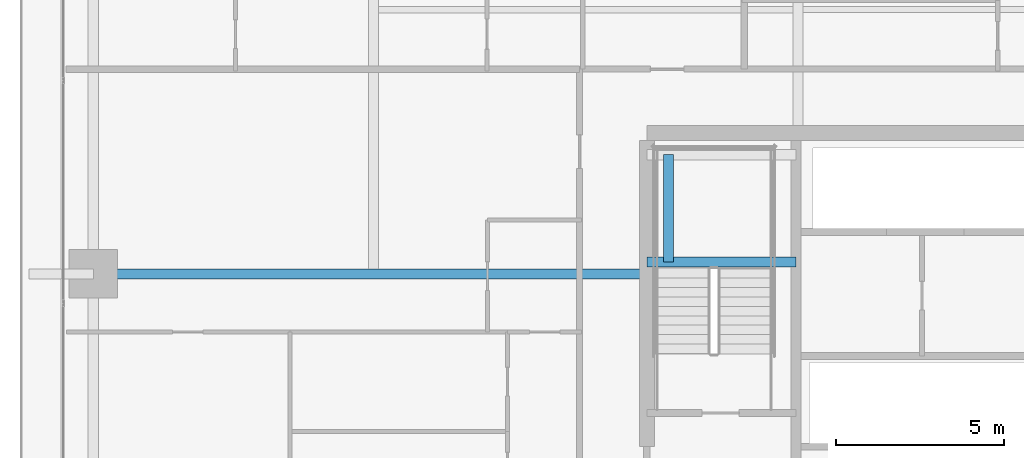
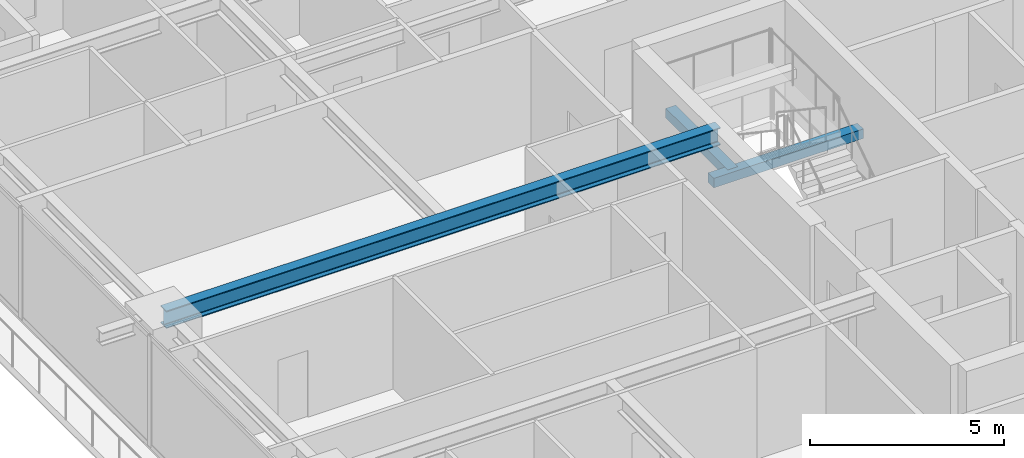
# One storey, part 9 of 37: 3 beams.
"""IFC4 building model written with IfcOpenShell, lengths in metres."""

from ifc_helpers import new_model, si_unit, direction, frame, origin, origin_2d, place, context, subcontext, project, spatial, rectangle, i_section, extrude, source, transform, mapped, material, material_profile, profile_set, type_object, element, save


model = new_model("IFC4")

# Units and contexts
model_context = context("Model", 3, precision=1e-05, world=origin(), true_north=direction((0.0, 1.0)))
body_context = subcontext(model_context, "Body", "Model", "MODEL_VIEW")
ifc_project = project(units=[si_unit("LENGTHUNIT", "METRE"), si_unit("AREAUNIT", "SQUARE_METRE"), si_unit("VOLUMEUNIT", "CUBIC_METRE"), si_unit("PLANEANGLEUNIT", "RADIAN"), si_unit("MASSUNIT", "GRAM", prefix="KILO")], contexts=[model_context])

# Site, building, storey
site_placement = place(None, origin())
site = spatial("IfcSite", under=ifc_project, at=site_placement, CompositionType="ELEMENT")
building_placement = place(site_placement, origin())
building = spatial("IfcBuilding", under=site, at=building_placement, Name="Serunith Strait Residences", CompositionType="ELEMENT")
storey_placement = place(building_placement, frame((0.0, 0.0, 34.199951171875)))
storey = spatial("IfcBuildingStorey", under=building, at=storey_placement, Name="L07", CompositionType="ELEMENT", Elevation=34.199951171875)

# Beams
ifc_material_1 = material(Name="Steel S355J2", Category="steel")
ifc_material_profile_1 = material_profile(ifc_material_1, i_section(OverallWidth=0.300048828125, OverallDepth=0.550048828125, WebThickness=0.014892578125, FlangeThickness=0.029052734375, FilletRadius=0.027099609375, at=origin_2d()), Name="HEB 550")
ifc_profile_set_1 = profile_set([ifc_material_profile_1], Name="Steel S355J2")
beam_type_1 = type_object("IfcBeamType", Name="BM-HEB550", PredefinedType="BEAM", material=ifc_profile_set_1)
shared_shape_1 = source(origin(), body_context, "Body", "SweptSolid", [
    extrude(i_section(OverallWidth=0.300048828125, OverallDepth=0.550048828125, WebThickness=0.014892578125, FlangeThickness=0.029052734375, FilletRadius=0.027099609375, at=origin_2d()), origin(), (0.0, 0.0, 1.0), 16.5),
])
beam_1_placement = place(storey_placement, frame((23.39990234375, 29.39990234375, 3.212158203125), z_axis=(-1.0, 0.0, 0.0), x_axis=(0.0, -1.0, 0.0)))
element("IfcBeam", 1, at=beam_1_placement, inside=storey, type_object=beam_type_1, Name="L07 Primary Floor Girder TC-W3", PredefinedType="BEAM", context=body_context, shape_type="MappedRepresentation", body=[
    mapped(shared_shape_1, transform((0.0, 0.0, 0.0), scale=1.0)),
])
ifc_material_2 = material(Name="Concrete C60/75", Category="concrete")
ifc_material_profile_2 = material_profile(ifc_material_2, rectangle(XDim=0.300048828125, YDim=0.300048828125, at=origin_2d()), Name="RC 300x300")
ifc_profile_set_2 = profile_set([ifc_material_profile_2], Name="Concrete C60/75")
beam_type_2 = type_object("IfcBeamType", Name="BM-LAND-300x300", PredefinedType="BEAM", material=ifc_profile_set_2)
shared_shape_2 = source(origin(), body_context, "Body", "SweptSolid", [
    extrude(rectangle(XDim=0.300048828125, YDim=0.300048828125, at=origin_2d()), origin(), (0.0, 0.0, 1.0), 4.4501953125),
])
beam_2_placement = place(storey_placement, frame((23.39990234375, 29.75, 1.525146484375), z_axis=(1.0, 0.0, 0.0), x_axis=(0.0, 1.0, 0.0)))
element("IfcBeam", 2, at=beam_2_placement, inside=storey, type_object=beam_type_2, Name="L07 ST-1 Landing Support Beam 1", PredefinedType="BEAM", context=body_context, shape_type="MappedRepresentation", body=[
    mapped(shared_shape_2, transform((0.0, 0.0, 0.0), scale=1.0)),
])
shared_shape_3 = source(origin(), body_context, "Body", "SweptSolid", [
    extrude(rectangle(XDim=0.300048828125, YDim=0.300048828125, at=origin_2d()), origin(), (0.0, 0.0, 1.0), 3.199951171875),
])
beam_3_placement = place(storey_placement, frame((24.050048828125, 29.75, 1.525146484375), z_axis=(0.0, 1.0, 0.0), x_axis=(-1.0, 0.0, 0.0)))
element("IfcBeam", 3, at=beam_3_placement, inside=storey, type_object=beam_type_2, Name="L07 ST-1 Landing Transverse Tie Beam", PredefinedType="BEAM", context=body_context, shape_type="MappedRepresentation", body=[
    mapped(shared_shape_3, transform((0.0, 0.0, 0.0), scale=1.0)),
])

save(model, "model.ifc")
